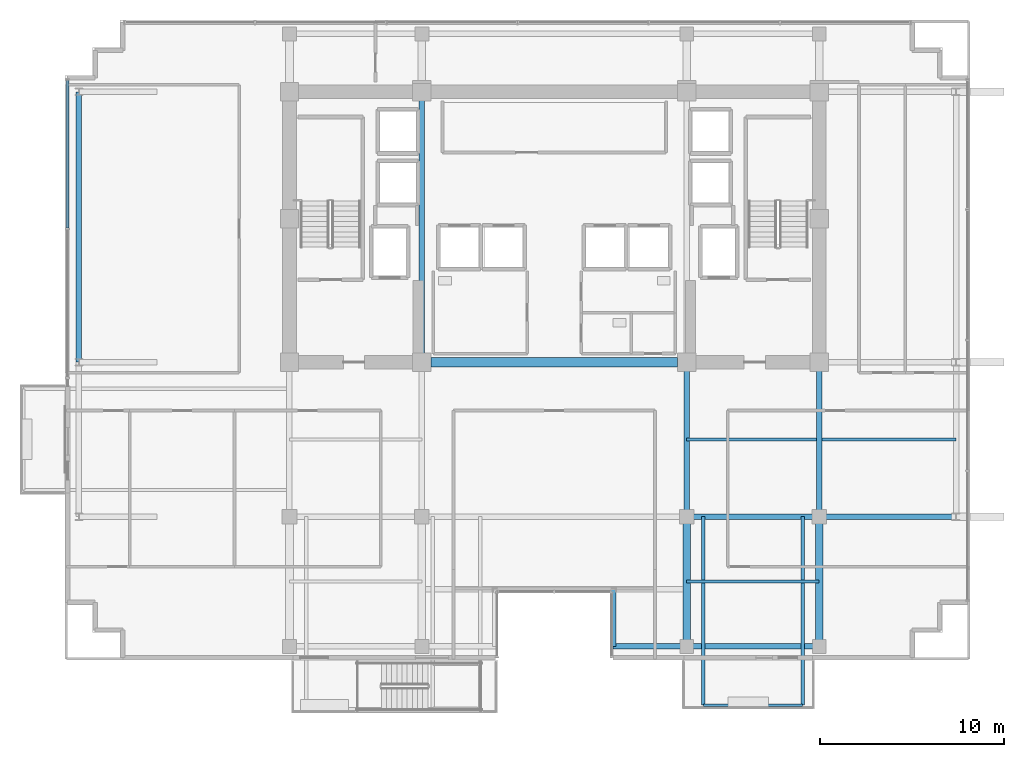
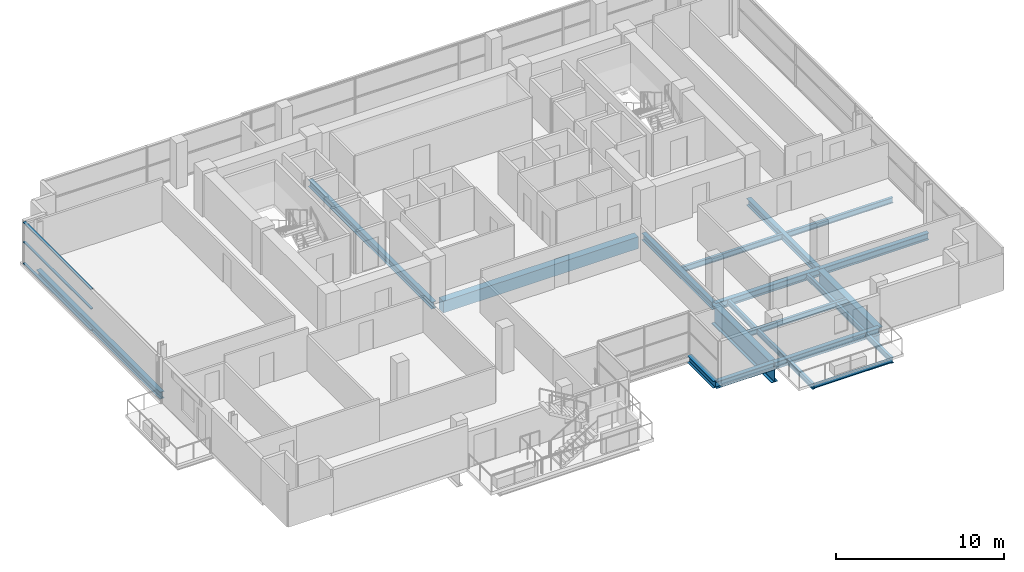
# One storey, part 6 of 23: 18 beams, 3 members, 1 element without a shape of its own.
"""IFC4 building model written with IfcOpenShell, lengths in metres."""

from ifc_helpers import new_model, si_unit, direction, frame, origin, origin_2d, place, context, subcontext, project, spatial, rectangle, hollow_rectangle, i_section, extrude, source, transform, mapped, material, layer, layer_set, material_profile, profile_set, type_object, element, aggregate, save


model = new_model("IFC4")

# Units and contexts
model_context = context("Model", 3, precision=1e-05, world=origin(), true_north=direction((0.0, 1.0)))
body_context = subcontext(model_context, "Body", "Model", "MODEL_VIEW")
ifc_project = project(units=[si_unit("LENGTHUNIT", "METRE"), si_unit("AREAUNIT", "SQUARE_METRE"), si_unit("VOLUMEUNIT", "CUBIC_METRE"), si_unit("PLANEANGLEUNIT", "RADIAN"), si_unit("MASSUNIT", "GRAM", prefix="KILO")], contexts=[model_context])

# Site, building, storey
site_placement = place(None, origin())
site = spatial("IfcSite", under=ifc_project, at=site_placement, CompositionType="ELEMENT")
building_placement = place(site_placement, origin())
building = spatial("IfcBuilding", under=site, at=building_placement, Name="Zarnakvel Exchange Tower", CompositionType="ELEMENT")
storey_placement = place(building_placement, frame((0.0, 0.0, 146.199951171875)))
storey = spatial("IfcBuildingStorey", under=building, at=storey_placement, Name="L40", CompositionType="ELEMENT", Elevation=146.199951171875)

# Beams
ifc_material_1 = material(Name="Steel S355", Category="steel")
ifc_material_profile_1 = material_profile(ifc_material_1, i_section(OverallWidth=0.179931640625, OverallDepth=0.39990234375, WebThickness=0.008544921875, FlangeThickness=0.013427734375, FilletRadius=0.02099609375, at=origin_2d()))
ifc_profile_set_1 = profile_set([ifc_material_profile_1], Name="Steel S355")
beam_type_1 = type_object("IfcBeamType", Name="B-06", PredefinedType="JOIST", material=ifc_profile_set_1)
beam_1_placement = place(storey_placement, frame((7.199951171875, -13.125, -0.425048828125), z_axis=(1.0, 0.0, 0.0), x_axis=(0.0, 1.0, 0.0)))
element("IfcBeam", 1, at=beam_1_placement, inside=storey, type_object=beam_type_1, Name="L40 Composite Floor Secondary Joist", PredefinedType="JOIST", context=body_context, shape_type="SweptSolid", body=[
    extrude(i_section(OverallWidth=0.179931640625, OverallDepth=0.39990234375, WebThickness=0.008544921875, FlangeThickness=0.013427734375, FilletRadius=0.02099609375, at=origin_2d()), origin(), (0.0, 0.0, 1.0), 7.199951171875),
])
beam_2_placement = place(storey_placement, frame((7.199951171875, -5.39990234375, -0.425048828125), z_axis=(1.0, 0.0, 0.0), x_axis=(0.0, 1.0, 0.0)))
element("IfcBeam", 2, at=beam_2_placement, inside=storey, type_object=beam_type_1, Name="L40 Composite Floor Secondary Joist", PredefinedType="JOIST", context=body_context, shape_type="SweptSolid", body=[
    extrude(i_section(OverallWidth=0.179931640625, OverallDepth=0.39990234375, WebThickness=0.008544921875, FlangeThickness=0.013427734375, FilletRadius=0.02099609375, at=origin_2d()), origin(), (0.0, 0.0, 1.0), 7.050048828125),
])
beam_3_placement = place(storey_placement, frame((14.550048828125, -5.39990234375, -0.425048828125), z_axis=(1.0, 0.0, 0.0), x_axis=(0.0, 1.0, 0.0)))
element("IfcBeam", 3, at=beam_3_placement, inside=storey, type_object=beam_type_1, Name="L40 Composite Floor Secondary Joist", PredefinedType="JOIST", context=body_context, shape_type="SweptSolid", body=[
    extrude(i_section(OverallWidth=0.179931640625, OverallDepth=0.39990234375, WebThickness=0.008544921875, FlangeThickness=0.013427734375, FilletRadius=0.02099609375, at=origin_2d()), origin(), (0.0, 0.0, 1.0), 7.300048828125),
])
for number, where, z_axis, x_axis, name in (
    (4, (8.10009765625, -9.60009765625, -0.425048828125), (0.0, -1.0, 0.0), (1.0, 0.0, 0.0), "L40 Continuous Back-Spanned Balcony Beam W"),
    (5, (13.5, -9.60009765625, -0.425048828125), (0.0, -1.0, 0.0), (1.0, 0.0, 0.0), "L40 Continuous Back-Spanned Balcony Beam E"),
):
    element("IfcBeam", number, at=place(storey_placement, frame(where, z_axis=z_axis, x_axis=x_axis)), inside=storey, type_object=beam_type_1, Name=name, PredefinedType="JOIST", context=body_context, shape_type="SweptSolid", body=[
        extrude(i_section(OverallWidth=0.179931640625, OverallDepth=0.39990234375, WebThickness=0.008544921875, FlangeThickness=0.013427734375, FilletRadius=0.02099609375, at=origin_2d()), origin(), (0.0, 0.0, 1.0), 10.25),
    ])
ifc_material_profile_2 = material_profile(ifc_material_1, i_section(OverallWidth=0.14990234375, OverallDepth=0.300048828125, WebThickness=0.007080078125, FlangeThickness=0.0107421875, FilletRadius=0.014892578125, at=origin_2d()))
ifc_profile_set_2 = profile_set([ifc_material_profile_2], Name="Steel S355")
beam_type_2 = type_object("IfcBeamType", Name="B-08", PredefinedType="JOIST", material=ifc_profile_set_2)
beam_4_placement = place(storey_placement, frame((8.10009765625, -19.85009765625, -0.375), z_axis=(1.0, 0.0, 0.0), x_axis=(0.0, 1.0, 0.0)))
element("IfcBeam", 6, at=beam_4_placement, inside=storey, type_object=beam_type_2, Name="L40 Balcony Edge Beam", PredefinedType="JOIST", context=body_context, shape_type="SweptSolid", body=[
    extrude(i_section(OverallWidth=0.14990234375, OverallDepth=0.300048828125, WebThickness=0.007080078125, FlangeThickness=0.0107421875, FilletRadius=0.014892578125, at=origin_2d()), origin(), (0.0, 0.0, 1.0), 5.39990234375),
])
ifc_material_2 = material(Name="Concrete C60/75", Category="concrete")
ifc_material_profile_3 = material_profile(ifc_material_2, rectangle(XDim=0.5, YDim=0.85009765625, at=origin_2d()))
ifc_profile_set_3 = profile_set([ifc_material_profile_3], Name="Concrete C60/75")
beam_type_3 = type_object("IfcBeamType", Name="CB-02", PredefinedType="LINTEL", material=ifc_profile_set_3)
beam_5_placement = place(storey_placement, frame((-6.699951171875, -1.199951171875, -0.64990234375), z_axis=(1.0, 0.0, 0.0), x_axis=(0.0, 1.0, 0.0)))
element("IfcBeam", 7, at=beam_5_placement, inside=storey, type_object=beam_type_3, Name="L40 Rear Core South Coupling Beam (CB-02)", PredefinedType="LINTEL", context=body_context, shape_type="SweptSolid", body=[
    extrude(rectangle(XDim=0.5, YDim=0.85009765625, at=origin_2d()), origin(), (0.0, 0.0, 1.0), 13.39990234375),
])
ifc_material_profile_4 = material_profile(ifc_material_1, i_section(OverallWidth=0.300048828125, OverallDepth=0.5, WebThickness=0.014404296875, FlangeThickness=0.028076171875, FilletRadius=0.027099609375, at=origin_2d()))
ifc_profile_set_4 = profile_set([ifc_material_profile_4], Name="Steel S355")
beam_type_4 = type_object("IfcBeamType", Name="G-06", PredefinedType="BEAM", material=ifc_profile_set_4)
beam_6_placement = place(storey_placement, frame((3.199951171875, -16.64990234375, -0.474853515625), z_axis=(0.0, 1.0, 0.0), x_axis=(-1.0, 0.0, 0.0)))
element("IfcBeam", 8, at=beam_6_placement, inside=storey, type_object=beam_type_4, Name="L40 South Slot East Cheek Beam", PredefinedType="BEAM", context=body_context, shape_type="SweptSolid", body=[
    extrude(i_section(OverallWidth=0.300048828125, OverallDepth=0.5, WebThickness=0.014404296875, FlangeThickness=0.028076171875, FilletRadius=0.027099609375, at=origin_2d()), origin(), (0.0, 0.0, 1.0), 3.099853515625),
])
beam_7_placement = place(storey_placement, frame((7.199951171875, -9.60009765625, -0.474853515625), z_axis=(1.0, 0.0, 0.0), x_axis=(0.0, 1.0, 0.0)))
element("IfcBeam", 9, at=beam_7_placement, inside=storey, type_object=beam_type_4, Name="L40 Tower E-W Frame Beam", PredefinedType="BEAM", context=body_context, shape_type="SweptSolid", body=[
    extrude(i_section(OverallWidth=0.300048828125, OverallDepth=0.5, WebThickness=0.014404296875, FlangeThickness=0.028076171875, FilletRadius=0.027099609375, at=origin_2d()), origin(), (0.0, 0.0, 1.0), 7.199951171875),
])
beam_8_placement = place(storey_placement, frame((14.39990234375, -9.60009765625, -0.474853515625), z_axis=(1.0, 0.0, 0.0), x_axis=(0.0, 1.0, 0.0)))
element("IfcBeam", 10, at=beam_8_placement, inside=storey, type_object=beam_type_4, Name="L40 Tower E-W Frame Beam", PredefinedType="BEAM", context=body_context, shape_type="SweptSolid", body=[
    extrude(i_section(OverallWidth=0.300048828125, OverallDepth=0.5, WebThickness=0.014404296875, FlangeThickness=0.028076171875, FilletRadius=0.027099609375, at=origin_2d()), origin(), (0.0, 0.0, 1.0), 7.4501953125),
])
beam_9_placement = place(storey_placement, frame((-7.199951171875, -1.199951171875, -0.474853515625), z_axis=(0.0, 1.0, 0.0), x_axis=(-1.0, 0.0, 0.0)))
element("IfcBeam", 11, at=beam_9_placement, inside=storey, type_object=beam_type_4, Name="L40 Tower N-S Frame Beam", PredefinedType="BEAM", context=body_context, shape_type="SweptSolid", body=[
    extrude(i_section(OverallWidth=0.300048828125, OverallDepth=0.5, WebThickness=0.014404296875, FlangeThickness=0.028076171875, FilletRadius=0.027099609375, at=origin_2d()), origin(), (0.0, 0.0, 1.0), 14.699951171875),
])
for number, where, z_axis, x_axis, name in (
    (12, (7.199951171875, -9.60009765625, -0.474853515625), (0.0, 1.0, 0.0), (-1.0, 0.0, 0.0), "L40 Tower N-S Frame Beam"),
    (13, (14.39990234375, -9.60009765625, -0.474853515625), (0.0, 1.0, 0.0), (-1.0, 0.0, 0.0), "L40 Tower N-S Frame Beam"),
):
    element("IfcBeam", number, at=place(storey_placement, frame(where, z_axis=z_axis, x_axis=x_axis)), inside=storey, type_object=beam_type_4, Name=name, PredefinedType="BEAM", context=body_context, shape_type="SweptSolid", body=[
        extrude(i_section(OverallWidth=0.300048828125, OverallDepth=0.5, WebThickness=0.014404296875, FlangeThickness=0.028076171875, FilletRadius=0.027099609375, at=origin_2d()), origin(), (0.0, 0.0, 1.0), 8.400146484375),
    ])
ifc_material_profile_5 = material_profile(ifc_material_1, i_section(OverallWidth=0.300048828125, OverallDepth=0.5, WebThickness=0.014404296875, FlangeThickness=0.028076171875, FilletRadius=0.027099609375, at=origin_2d()))
ifc_profile_set_5 = profile_set([ifc_material_profile_5], Name="Steel S355")
beam_type_5 = type_object("IfcBeamType", Name="SP-02", PredefinedType="SPANDREL", material=ifc_profile_set_5)
beam_10_placement = place(storey_placement, frame((3.199951171875, -16.64990234375, -0.474853515625), z_axis=(1.0, 0.0, 0.0), x_axis=(0.0, 1.0, 0.0)))
element("IfcBeam", 14, at=beam_10_placement, inside=storey, type_object=beam_type_5, Name="L40 South Slot East Jamb Spandrel", PredefinedType="SPANDREL", context=body_context, shape_type="SweptSolid", body=[
    extrude(i_section(OverallWidth=0.300048828125, OverallDepth=0.5, WebThickness=0.014404296875, FlangeThickness=0.028076171875, FilletRadius=0.027099609375, at=origin_2d()), origin(), (0.0, 0.0, 1.0), 4.0),
])
beam_11_placement = place(storey_placement, frame((7.199951171875, -16.64990234375, -0.474853515625), z_axis=(1.0, 0.0, 0.0), x_axis=(0.0, 1.0, 0.0)))
element("IfcBeam", 15, at=beam_11_placement, inside=storey, type_object=beam_type_5, Name="L40 Tower E-W Frame Beam", PredefinedType="SPANDREL", context=body_context, shape_type="SweptSolid", body=[
    extrude(i_section(OverallWidth=0.300048828125, OverallDepth=0.5, WebThickness=0.014404296875, FlangeThickness=0.028076171875, FilletRadius=0.027099609375, at=origin_2d()), origin(), (0.0, 0.0, 1.0), 7.199951171875),
])
beam_12_placement = place(storey_placement, frame((-25.85009765625, -1.199951171875, -0.474853515625), z_axis=(0.0, 1.0, 0.0), x_axis=(-1.0, 0.0, 0.0)))
element("IfcBeam", 16, at=beam_12_placement, inside=storey, type_object=beam_type_5, Name="L40 Tower N-S Frame Beam", PredefinedType="SPANDREL", context=body_context, shape_type="SweptSolid", body=[
    extrude(i_section(OverallWidth=0.300048828125, OverallDepth=0.5, WebThickness=0.014404296875, FlangeThickness=0.028076171875, FilletRadius=0.027099609375, at=origin_2d()), origin(), (0.0, 0.0, 1.0), 14.699951171875),
])
ifc_material_3 = material(Name="Steel S460", Category="steel")
ifc_material_profile_6 = material_profile(ifc_material_3, i_section(OverallWidth=0.419921875, OverallDepth=1.449951171875, WebThickness=0.02392578125, FlangeThickness=0.0400390625, FilletRadius=0.030029296875, at=origin_2d()))
ifc_profile_set_6 = profile_set([ifc_material_profile_6], Name="Steel S460")
beam_type_6 = type_object("IfcBeamType", Name="TG-01", PredefinedType="BEAM", material=ifc_profile_set_6)
for number, where, z_axis, x_axis, name in (
    (17, (7.199951171875, -16.75, -0.949951171875), (0.0, 1.0, 0.0), (-1.0, 0.0, 0.0), "L40 Setback N-S Transfer Girder TS-8"),
    (18, (14.39990234375, -16.75, -0.949951171875), (0.0, 1.0, 0.0), (-1.0, 0.0, 0.0), "L40 Setback N-S Transfer Girder TS-9"),
):
    element("IfcBeam", number, at=place(storey_placement, frame(where, z_axis=z_axis, x_axis=x_axis)), inside=storey, type_object=beam_type_6, Name=name, PredefinedType="BEAM", context=body_context, shape_type="SweptSolid", body=[
        extrude(i_section(OverallWidth=0.419921875, OverallDepth=1.449951171875, WebThickness=0.02392578125, FlangeThickness=0.0400390625, FilletRadius=0.030029296875, at=origin_2d()), origin(), (0.0, 0.0, 1.0), 7.14990234375),
    ])

# Curtain wall, members
ifc_material_4 = material(Name="Architectural Bronze Anodised Aluminium", Category="aluminium")
ifc_layer = layer(ifc_material_4, 0.199951171875)
ifc_layer_set = layer_set([ifc_layer], Name="Architectural Bronze Anodised Aluminium")
curtain_wall_type = type_object("IfcCurtainWallType", Name="CW-04", PredefinedType="NOTDEFINED", material=ifc_layer_set)
curtain_wall_placement = place(storey_placement, origin())
curtain_wall = element("IfcCurtainWall", 19, at=curtain_wall_placement, inside=storey, type_object=curtain_wall_type, Name="L40 Curtain Wall CW-L40-WN (CW-04)", PredefinedType="NOTDEFINED")
ifc_material_profile_7 = material_profile(ifc_material_4, hollow_rectangle(XDim=0.159912109375, YDim=0.074951171875, WallThickness=0.00390625, at=origin_2d()))
ifc_profile_set_7 = profile_set([ifc_material_profile_7], Name="Architectural Bronze Anodised Aluminium")
member_type = type_object("IfcMemberType", Name="CWT-04", PredefinedType="USERDEFINED", material=ifc_profile_set_7)
shared_shape = source(origin(), body_context, "Body", "SweptSolid", [
    extrude(hollow_rectangle(XDim=0.159912109375, YDim=0.074951171875, WallThickness=0.00390625, at=origin_2d()), origin(), (0.0, 0.0, 1.0), 8.03759765625),
])
member_1_placement = place(storey_placement, frame((-26.4599609375, 6.08740234375, 0.03759765625), z_axis=(0.0, 1.0, 0.0), x_axis=(-1.0, 0.0, 0.0)))
member_1 = element("IfcMember", 20, at=member_1_placement, type_object=member_type, Name="CW-04 transom 2.1", ObjectType="TRANSOM", PredefinedType="USERDEFINED", context=body_context, shape_type="MappedRepresentation", body=[
    mapped(shared_shape, transform((0.0, 0.0, 0.0), x_axis=(1.0, 0.0, 0.0), y_axis=(0.0, 1.0, 0.0), z_axis=(0.0, 0.0, 1.0), scale=1.0)),
])
member_2_placement = place(storey_placement, frame((-26.4599609375, 6.08740234375, 1.588623046875), z_axis=(0.0, 1.0, 0.0), x_axis=(-1.0, 0.0, 0.0)))
member_2 = element("IfcMember", 21, at=member_2_placement, type_object=member_type, Name="CW-04 transom 2.2", ObjectType="TRANSOM", PredefinedType="USERDEFINED", context=body_context, shape_type="MappedRepresentation", body=[
    mapped(shared_shape, transform((0.0, 0.0, 0.0), x_axis=(1.0, 0.0, 0.0), y_axis=(0.0, 1.0, 0.0), z_axis=(0.0, 0.0, 1.0), scale=1.0)),
])
member_3_placement = place(storey_placement, frame((-26.4599609375, 6.08740234375, 3.017578125), z_axis=(0.0, 1.0, 0.0), x_axis=(-1.0, 0.0, 0.0)))
member_3 = element("IfcMember", 22, at=member_3_placement, type_object=member_type, Name="CW-04 transom 2.3", ObjectType="TRANSOM", PredefinedType="USERDEFINED", context=body_context, shape_type="MappedRepresentation", body=[
    mapped(shared_shape, transform((0.0, 0.0, 0.0), x_axis=(1.0, 0.0, 0.0), y_axis=(0.0, 1.0, 0.0), z_axis=(0.0, 0.0, 1.0), scale=1.0)),
])
aggregate(curtain_wall, [member_1, member_2, member_3])

save(model, "model.ifc")
